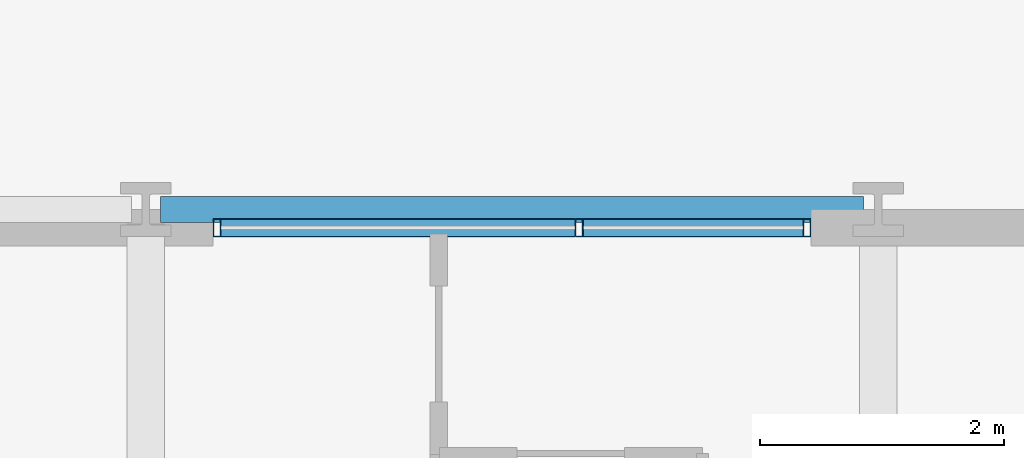
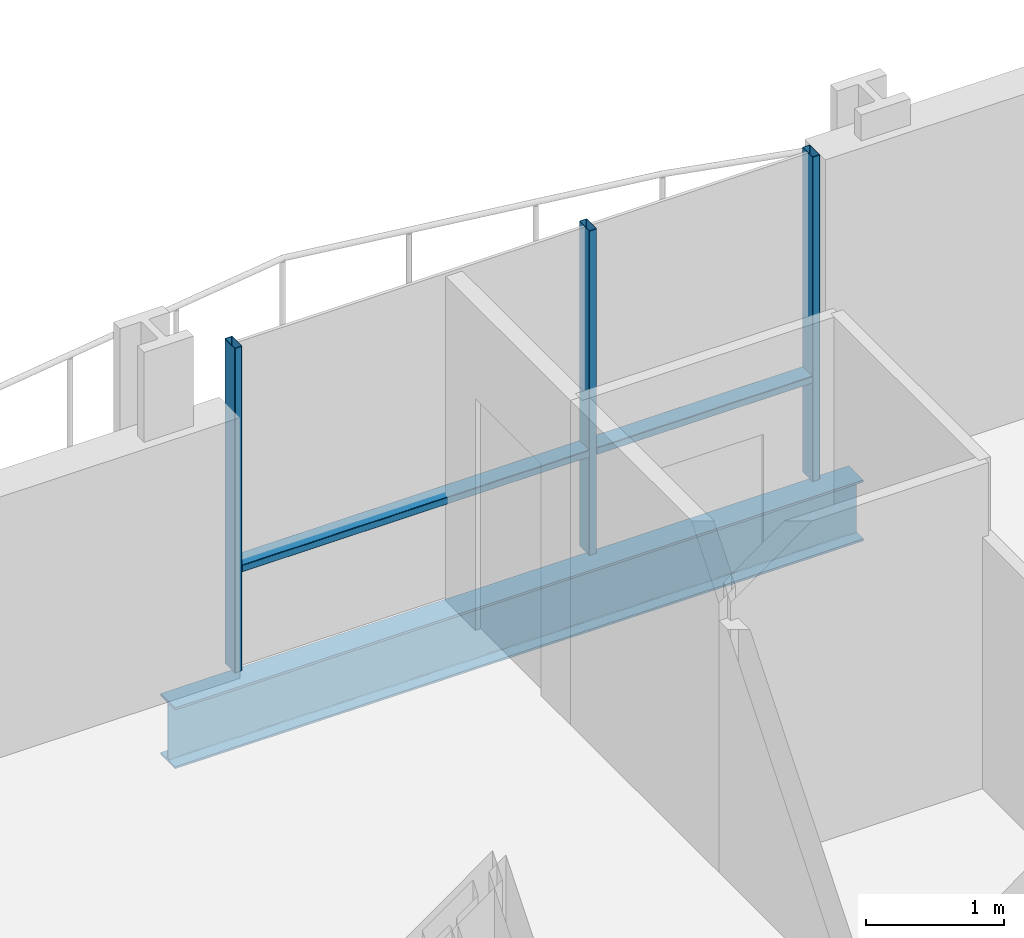
# One storey, part 24 of 40: 5 members, 1 beam, 1 element without a shape of its own.
"""IFC4 building model written with IfcOpenShell, lengths in metres."""

from ifc_helpers import new_model, si_unit, direction, frame, origin, origin_2d, place, context, subcontext, project, spatial, hollow_rectangle, i_section, extrude, material, layer, layer_set, material_profile, profile_set, type_object, element, aggregate, save


model = new_model("IFC4")

# Units and contexts
model_context = context("Model", 3, precision=1e-05, world=origin(), true_north=direction((0.0, 1.0)))
body_context = subcontext(model_context, "Body", "Model", "MODEL_VIEW")
ifc_project = project(units=[si_unit("LENGTHUNIT", "METRE"), si_unit("AREAUNIT", "SQUARE_METRE"), si_unit("VOLUMEUNIT", "CUBIC_METRE"), si_unit("PLANEANGLEUNIT", "RADIAN"), si_unit("MASSUNIT", "GRAM", prefix="KILO")], contexts=[model_context])

# Site, building, storey
site_placement = place(None, origin())
site = spatial("IfcSite", under=ifc_project, at=site_placement, CompositionType="ELEMENT")
building_placement = place(site_placement, origin())
building = spatial("IfcBuilding", under=site, at=building_placement, Name="Brevholm Reach", CompositionType="ELEMENT")
storey_placement = place(building_placement, frame((0.0, 0.0, 31.10009765625)))
storey = spatial("IfcBuildingStorey", under=building, at=storey_placement, Name="L07", CompositionType="ELEMENT", Elevation=31.10009765625)

# Beam
ifc_material_1 = material(Name="Structural Steel S355J2", Category="steel")
ifc_material_profile_1 = material_profile(ifc_material_1, i_section(OverallWidth=0.210693359375, OverallDepth=0.53955078125, WebThickness=0.01171875, FlangeThickness=0.018798828125, FilletRadius=0.0126953125, at=origin_2d()), Name="UKB 533x210x109")
ifc_profile_set_1 = profile_set([ifc_material_profile_1], Name="Structural Steel S355J2")
beam_type = type_object("IfcBeamType", Name="BM-SP539", PredefinedType="SPANDREL", material=ifc_profile_set_1)
beam_placement = place(storey_placement, frame((48.1201171875, 31.0, -0.499755859375), z_axis=(1.0, 0.0, 0.0), x_axis=(0.0, 1.0, 0.0)))
element("IfcBeam", 1, at=beam_placement, inside=storey, type_object=beam_type, Name="L07 SP-01B Framing Beam", PredefinedType="SPANDREL", context=body_context, shape_type="SweptSolid", body=[
    extrude(i_section(OverallWidth=0.210693359375, OverallDepth=0.53955078125, WebThickness=0.01171875, FlangeThickness=0.018798828125, FilletRadius=0.0126953125, at=origin_2d()), origin(), (0.0, 0.0, 1.0), 5.759765625),
])

# Curtain wall, members
ifc_material_2 = material(Name="Dark Anodised Aluminium 6063-T6 and Solar-Control Glass", Category="aluminium")
ifc_layer = layer(ifc_material_2, 0.14990234375)
ifc_layer_set = layer_set([ifc_layer], Name="Dark Anodised Aluminium 6063-T6 and Solar-Control Glass")
curtain_wall_type = type_object("IfcCurtainWallType", Name="CW-01", PredefinedType="NOTDEFINED", material=ifc_layer_set)
curtain_wall_placement = place(storey_placement, origin())
curtain_wall = element("IfcCurtainWall", 2, at=curtain_wall_placement, inside=storey, type_object=curtain_wall_type, Name="L07 Curtain Wall CW-01", PredefinedType="NOTDEFINED")
ifc_material_3 = material(Name="Dark Anodised Aluminium 6063-T6", Category="aluminium")
ifc_material_profile_2 = material_profile(ifc_material_3, hollow_rectangle(XDim=0.06494140625, YDim=0.14990234375, WallThickness=0.0048828125, InnerFilletRadius=0.0048828125, OuterFilletRadius=0.010009765625, at=origin_2d()), Name="RHS 150x65x5")
ifc_profile_set_2 = profile_set([ifc_material_profile_2], Name="Dark Anodised Aluminium 6063-T6")
member_type_1 = type_object("IfcMemberType", Name="CWM-150", PredefinedType="MULLION", material=ifc_profile_set_2)
member_1_placement = place(storey_placement, frame((48.58251953125, 30.85009765625, 0.0), z_axis=(0.0, 0.0, 1.0), x_axis=(1.0, 0.0, 0.0)))
member_1 = element("IfcMember", 3, at=member_1_placement, type_object=member_type_1, Name="CM-150 Mullion 1", PredefinedType="MULLION", context=body_context, shape_type="SweptSolid", body=[
    extrude(hollow_rectangle(XDim=0.06494140625, YDim=0.14990234375, WallThickness=0.0048828125, InnerFilletRadius=0.0048828125, OuterFilletRadius=0.010009765625, at=origin_2d()), origin(), (0.0, 0.0, 1.0), 2.869873046875),
])
member_2_placement = place(storey_placement, frame((51.550048828125, 30.85009765625, 0.0), z_axis=(0.0, 0.0, 1.0), x_axis=(1.0, 0.0, 0.0)))
member_2 = element("IfcMember", 4, at=member_2_placement, type_object=member_type_1, Name="CM-150 Mullion 2", PredefinedType="MULLION", context=body_context, shape_type="SweptSolid", body=[
    extrude(hollow_rectangle(XDim=0.06494140625, YDim=0.14990234375, WallThickness=0.0048828125, InnerFilletRadius=0.0048828125, OuterFilletRadius=0.010009765625, at=origin_2d()), origin(), (0.0, 0.0, 1.0), 2.869873046875),
])
member_3_placement = place(storey_placement, frame((53.41748046875, 30.85009765625, 0.0), z_axis=(0.0, 0.0, 1.0), x_axis=(1.0, 0.0, 0.0)))
member_3 = element("IfcMember", 5, at=member_3_placement, type_object=member_type_1, Name="CM-150 Mullion 3", PredefinedType="MULLION", context=body_context, shape_type="SweptSolid", body=[
    extrude(hollow_rectangle(XDim=0.06494140625, YDim=0.14990234375, WallThickness=0.0048828125, InnerFilletRadius=0.0048828125, OuterFilletRadius=0.010009765625, at=origin_2d()), origin(), (0.0, 0.0, 1.0), 2.869873046875),
])
ifc_material_4 = material(Name="Dark Anodised Aluminium 6063-T6", Category="aluminium")
ifc_material_profile_3 = material_profile(ifc_material_4, hollow_rectangle(XDim=0.06494140625, YDim=0.14990234375, WallThickness=0.0048828125, InnerFilletRadius=0.0048828125, OuterFilletRadius=0.010009765625, at=origin_2d()), Name="RHS 150x65x5")
ifc_profile_set_3 = profile_set([ifc_material_profile_3], Name="Dark Anodised Aluminium 6063-T6")
member_type_2 = type_object("IfcMemberType", Name="CWT-150", PredefinedType="NOTDEFINED", material=ifc_profile_set_3)
member_4_placement = place(storey_placement, frame((48.614990234375, 30.85009765625, 0.89990234375), z_axis=(1.0, 0.0, 0.0), x_axis=(0.0, 0.0, 1.0)))
member_4 = element("IfcMember", 6, at=member_4_placement, type_object=member_type_2, Name="CT-150 Transom 1.1", ObjectType="TRANSOM", PredefinedType="USERDEFINED", context=body_context, shape_type="SweptSolid", body=[
    extrude(hollow_rectangle(XDim=0.06494140625, YDim=0.14990234375, WallThickness=0.0048828125, InnerFilletRadius=0.0048828125, OuterFilletRadius=0.010009765625, at=origin_2d()), origin(), (0.0, 0.0, 1.0), 2.902587890625),
])
member_5_placement = place(storey_placement, frame((51.58251953125, 30.85009765625, 0.89990234375), z_axis=(1.0, 0.0, 0.0), x_axis=(0.0, 0.0, 1.0)))
member_5 = element("IfcMember", 7, at=member_5_placement, type_object=member_type_2, Name="CT-150 Transom 2.1", ObjectType="TRANSOM", PredefinedType="USERDEFINED", context=body_context, shape_type="SweptSolid", body=[
    extrude(hollow_rectangle(XDim=0.06494140625, YDim=0.14990234375, WallThickness=0.0048828125, InnerFilletRadius=0.0048828125, OuterFilletRadius=0.010009765625, at=origin_2d()), origin(), (0.0, 0.0, 1.0), 1.802490234375),
])
aggregate(curtain_wall, [member_1, member_2, member_3, member_4, member_5])

save(model, "model.ifc")
